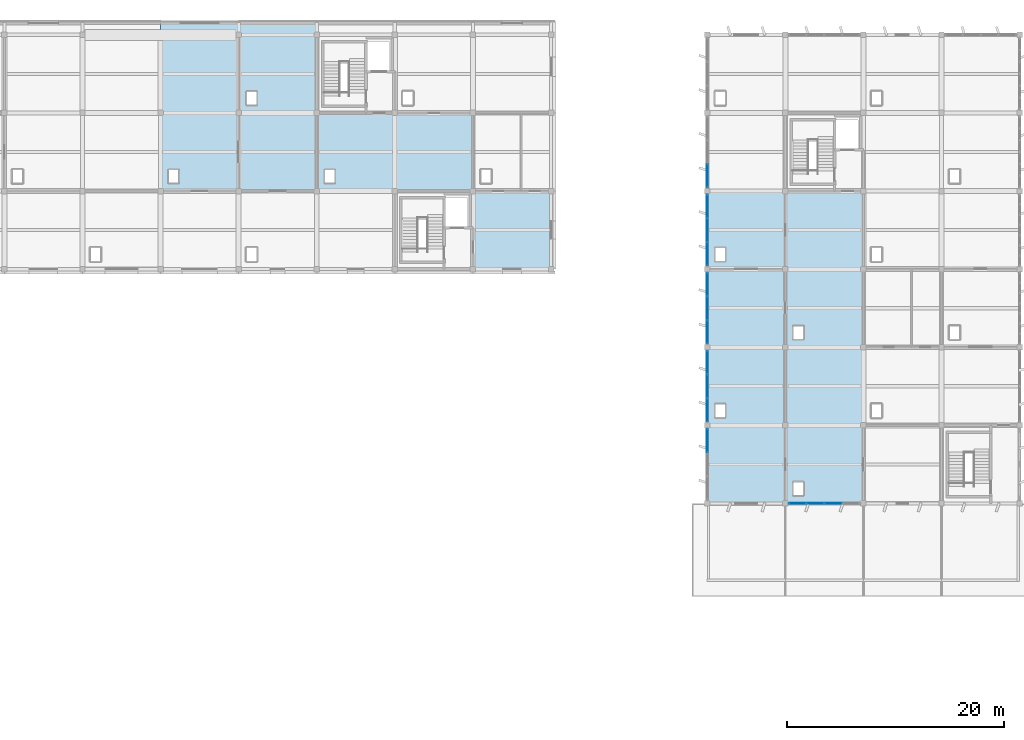
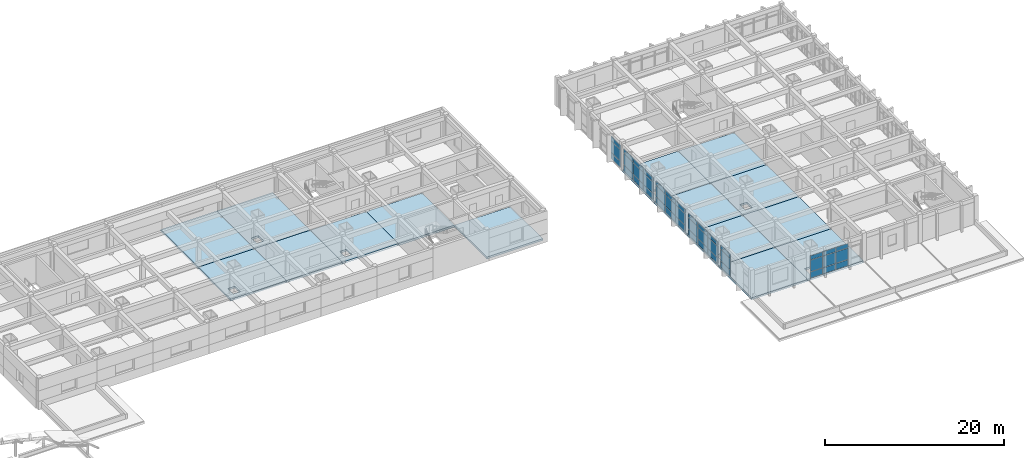
# One storey, part 25 of 40: 42 plates, 15 slabs, 6 elements without a shape of their own.
"""IFC4 building model written with IfcOpenShell, lengths in metres."""

import ifcopenshell
import ifcopenshell.guid

model = None  # the IFC model being written
_history = None  # IfcOwnerHistory: only IFC2X3 demands one
_inside = {}  # id of a spatial element -> (the spatial element, [elements in it])
_under = {}  # id of a project, library or spatial element -> (it, [spatial elements below it])
_declared = {}  # id of a project -> (the project, [libraries it declares])
_typed = {}  # id of a type object -> (the type object, [elements of that type])
_made_of = {}  # id of a material, layer set ... -> (it, [elements and type objects made of it])


def new_model(schema):
    """Start an empty IFC model of exactly this schema.

    Asked for "IFC4X3", IfcOpenShell would pick the latest addendum, in which some entities
    have other attributes; the version numbers below select the first issue.
    IFC2X3 requires an IfcOwnerHistory on every rooted entity: one is made here for all.
    """
    global model, _history
    if schema == "IFC4X3":
        model = ifcopenshell.file(schema_version=(4, 3, 0, 0))
    else:
        model = ifcopenshell.file(schema=schema)
    _inside.clear()
    _under.clear()
    _declared.clear()
    _typed.clear()
    _made_of.clear()
    _history = None
    if model.schema == "IFC2X3":
        org = make("IfcOrganization", Name="unknown")
        user = make(
            "IfcPersonAndOrganization",
            ThePerson=make("IfcPerson", FamilyName="unknown"),
            TheOrganization=org,
        )
        app = make(
            "IfcApplication",
            ApplicationDeveloper=org,
            Version="unknown",
            ApplicationFullName="unknown",
            ApplicationIdentifier="unknown",
        )
        _history = make(
            "IfcOwnerHistory",
            OwningUser=user,
            OwningApplication=app,
            ChangeAction="ADDED",
            CreationDate=0,
        )
    return model


def make(cls, **values):
    """One entity of the class cls with the attributes given. An attribute that is None is left unset."""
    return model.create_entity(
        cls, **{name: value for name, value in values.items() if value is not None}
    )


def rooted(cls, **values):
    """An entity with a GlobalId (a new one), such as an element, a storey or a relation."""
    return make(cls, GlobalId=ifcopenshell.guid.new(), OwnerHistory=_history, **values)


def si_unit(unit_type, name, prefix=None):
    """IfcSIUnit, for example si_unit("LENGTHUNIT", "METRE", prefix="MILLI")."""
    return make("IfcSIUnit", UnitType=unit_type, Prefix=prefix, Name=name)


def assignment(units):
    """IfcUnitAssignment: the units of a project."""
    return None if units is None else make("IfcUnitAssignment", Units=units)


def point(xyz):
    """IfcCartesianPoint."""
    return None if xyz is None else make("IfcCartesianPoint", Coordinates=xyz)


def direction(xyz):
    """IfcDirection."""
    return None if xyz is None else make("IfcDirection", DirectionRatios=xyz)


def frame(location, z_axis=None, x_axis=None):
    """IfcAxis2Placement3D, a coordinate frame: its origin and axes. An axis left out is left unset."""
    return make(
        "IfcAxis2Placement3D",
        Location=point(location),
        Axis=direction(z_axis),
        RefDirection=direction(x_axis),
    )


def frame_2d(location, x_axis=None):
    """IfcAxis2Placement2D, a coordinate frame in the plane: its origin and x axis."""
    return make(
        "IfcAxis2Placement2D", Location=point(location), RefDirection=direction(x_axis)
    )


def origin():
    """The frame at (0, 0, 0) with its axes left unset."""
    return frame((0.0, 0.0, 0.0))


def origin_2d():
    """The frame at (0, 0) in the plane with its x axis left unset."""
    return frame_2d((0.0, 0.0))


def place(relative_to, where):
    """IfcLocalPlacement: puts the frame where relative to a parent placement (None: the world)."""
    return make(
        "IfcLocalPlacement", PlacementRelTo=relative_to, RelativePlacement=where
    )


def context(
    kind, dimensions, precision=None, world=None, true_north=None, identifier=None
):
    """IfcGeometricRepresentationContext, for example the 3D "Model" context."""
    return make(
        "IfcGeometricRepresentationContext",
        ContextIdentifier=identifier,
        ContextType=kind,
        CoordinateSpaceDimension=dimensions,
        Precision=precision,
        WorldCoordinateSystem=world,
        TrueNorth=true_north,
    )


def subcontext(parent, identifier, kind, view, scale=None):
    """IfcGeometricRepresentationSubContext, for example "Body" below "Model"."""
    return make(
        "IfcGeometricRepresentationSubContext",
        ContextIdentifier=identifier,
        ContextType=kind,
        ParentContext=parent,
        TargetScale=scale,
        TargetView=view,
    )


def project(units=None, contexts=None):
    """IfcProject with its units and contexts."""
    return rooted(
        "IfcProject",
        Name="project",
        RepresentationContexts=contexts,
        UnitsInContext=assignment(units),
    )


def spatial(cls, under=None, at=None, **own):
    """A site, building, storey or space (cls), placed at a placement, below another one or the project."""
    s = rooted(cls, ObjectPlacement=at, **own)
    if under is not None:
        _under.setdefault(under.id(), (under, []))[1].append(s)
    return s


def polyline(points):
    """IfcPolyline through the points."""
    return make("IfcPolyline", Points=[point(p) for p in points])


def profile(cls, at=None, kind="AREA", **sizes):
    """A parametric profile (cls). Its sizes go by their IFC names, for example OverallWidth=200.0."""
    return make(cls, ProfileType=kind, Position=at, **sizes)


def rectangle(**sizes):
    """IfcRectangleProfileDef."""
    return profile("IfcRectangleProfileDef", **sizes)


def outline(outer, holes=None, kind="AREA"):
    """IfcArbitraryClosedProfileDef: a profile drawn as a closed curve; with holes, ...WithVoids."""
    if holes is None:
        return make("IfcArbitraryClosedProfileDef", ProfileType=kind, OuterCurve=outer)
    return make(
        "IfcArbitraryProfileDefWithVoids",
        ProfileType=kind,
        OuterCurve=outer,
        InnerCurves=holes,
    )


def extrude(swept, where, along, depth):
    """IfcExtrudedAreaSolid: the profile swept, set in the frame where, extruded along a direction by depth."""
    return make(
        "IfcExtrudedAreaSolid",
        SweptArea=swept,
        Position=where,
        ExtrudedDirection=direction(along),
        Depth=depth,
    )


def shape(context_of_items, identifier, shape_type, items):
    """IfcShapeRepresentation: the items that make up one representation, for example the "Body"."""
    return make(
        "IfcShapeRepresentation",
        ContextOfItems=context_of_items,
        RepresentationIdentifier=identifier,
        RepresentationType=shape_type,
        Items=items,
    )


def material(Name=None, Category=None):
    """IfcMaterial."""
    return make("IfcMaterial", Name=Name, Category=Category)


def layer(
    of_material, thickness, ventilated=None, Name=None, Category=None, Priority=None
):
    """IfcMaterialLayer: one layer of a wall or slab, of a material (None: an air gap)."""
    return make(
        "IfcMaterialLayer",
        Material=of_material,
        LayerThickness=thickness,
        IsVentilated=ventilated,
        Name=Name,
        Category=Category,
        Priority=Priority,
    )


def layer_set(layers, Name=None):
    """IfcMaterialLayerSet."""
    return make("IfcMaterialLayerSet", MaterialLayers=layers, LayerSetName=Name)


def made_of(thing, what):
    """Note that an element or type object is made of a material, layer set ...; save() writes the relation."""
    if what is not None:
        _made_of.setdefault(what.id(), (what, []))[1].append(thing)
    return thing


def type_object(cls, material=None, **own):
    """A type object (cls), such as IfcWallType, which elements share."""
    return made_of(rooted(cls, **own), material)


def element(
    cls,
    number,
    at=None,
    inside=None,
    cuts=None,
    type_object=None,
    material=None,
    context=None,
    identifier="Body",
    shape_type=None,
    held_by="IfcProductDefinitionShape",
    body=None,
    shapes=None,
    **own,
):
    """One element of the class cls, such as IfcWall. Its Tag is "e" and its number.

    at: its placement. inside: the storey or other place that contains it. cuts: it is an
    opening in that element (IfcRelVoidsElement). A single representation is given by context,
    identifier, shape_type and body (its items); several are given by shapes. held_by: the class
    of the entity that holds the representations. save() writes the other relations.
    """
    e = rooted(cls, Tag="e%d" % number, ObjectPlacement=at, **own)
    if body is not None:
        shapes = [shape(context, identifier, shape_type, body)]
    if shapes is not None:
        e.Representation = make(held_by, Representations=shapes)
    if inside is not None:
        _inside.setdefault(inside.id(), (inside, []))[1].append(e)
    if cuts is not None:
        rooted(
            "IfcRelVoidsElement", RelatingBuildingElement=cuts, RelatedOpeningElement=e
        )
    if type_object is not None:
        _typed.setdefault(type_object.id(), (type_object, []))[1].append(e)
    return made_of(e, material)


def aggregate(whole, parts):
    """IfcRelAggregates: a whole, such as a stair, and the parts it consists of."""
    return rooted("IfcRelAggregates", RelatingObject=whole, RelatedObjects=parts)


def save(model, path):
    """Write the relations noted so far, then the file.

    IfcRelAggregates (storeys below a building ...), IfcRelContainedInSpatialStructure (elements
    in a storey), IfcRelDefinesByType, IfcRelAssociatesMaterial and IfcRelDeclares: one each for
    every whole, place, type object, material and project.
    """
    for whole, parts in _under.values():
        aggregate(whole, parts)
    for where, things in _inside.values():
        rooted(
            "IfcRelContainedInSpatialStructure",
            RelatedElements=things,
            RelatingStructure=where,
        )
    for kind, things in _typed.values():
        rooted("IfcRelDefinesByType", RelatedObjects=things, RelatingType=kind)
    for what, things in _made_of.values():
        rooted("IfcRelAssociatesMaterial", RelatedObjects=things, RelatingMaterial=what)
    for by, libraries in _declared.values():
        rooted("IfcRelDeclares", RelatingContext=by, RelatedDefinitions=libraries)
    model.write(path)


model = new_model("IFC4")

# Units and contexts
model_context = context("Model", 3, precision=1e-05, world=origin(), true_north=direction((0.0, 1.0)))
body_context = subcontext(model_context, "Body", "Model", "MODEL_VIEW")
ifc_project = project(units=[si_unit("LENGTHUNIT", "METRE"), si_unit("AREAUNIT", "SQUARE_METRE"), si_unit("VOLUMEUNIT", "CUBIC_METRE"), si_unit("PLANEANGLEUNIT", "RADIAN"), si_unit("MASSUNIT", "GRAM", prefix="KILO")], contexts=[model_context])

# Site, building, storey
site_placement = place(None, origin())
site = spatial("IfcSite", under=ifc_project, at=site_placement, CompositionType="ELEMENT")
building_placement = place(site_placement, origin())
building = spatial("IfcBuilding", under=site, at=building_placement, Name="Kavelor Marine Aquarium", CompositionType="ELEMENT")
storey_placement = place(building_placement, frame((0.0, 0.0, 17.639892578125)))
storey = spatial("IfcBuildingStorey", under=building, at=storey_placement, Name="L04", CompositionType="ELEMENT", Elevation=17.639892578125)

# Curtain wall, plates
ifc_material_1 = material(Name="Thermally Broken Aluminium and Low-E Glass", Category="aluminium")
ifc_layer_1 = layer(ifc_material_1, 0.260009765625)
ifc_layer_set_1 = layer_set([ifc_layer_1], Name="CW-SYS15")
curtain_wall_type_1 = type_object("IfcCurtainWallType", Name="CW-SYS15", PredefinedType="USERDEFINED", material=ifc_layer_set_1)
curtain_wall_1_placement = place(storey_placement, origin())
curtain_wall_1 = element("IfcCurtainWall", 1, at=curtain_wall_1_placement, inside=storey, type_object=curtain_wall_type_1, Name="cw:x:L04:17_09", ObjectType="Curtain Wall", PredefinedType="USERDEFINED")
ifc_material_2 = material(Name="Solar-Control Double Low-E Glazing", Category="glass")
ifc_layer_2 = layer(ifc_material_2, 0.053955078125)
ifc_layer_set_2 = layer_set([ifc_layer_2], Name="CWP-15")
plate_type_1 = type_object("IfcPlateType", Name="CWP-15", PredefinedType="CURTAIN_PANEL", material=ifc_layer_set_2)
plate_1_placement = place(storey_placement, frame((130.0263671875, 67.60009765625, 0.06494140625), z_axis=(0.0, 0.0, 1.0), x_axis=(-1.0, 0.0, 0.0)))
plate_1 = element("IfcPlate", 2, at=plate_1_placement, type_object=plate_type_1, Name="CW15 panel 2.1", PredefinedType="CURTAIN_PANEL", context=body_context, shape_type="SweptSolid", body=[
    extrude(rectangle(XDim=1.592529296875, YDim=0.053955078125, at=origin_2d()), origin(), (0.0, 0.0, 1.0), 0.802490234375),
])
plate_2_placement = place(storey_placement, frame((130.0263671875, 67.60009765625, 0.9326171875), z_axis=(0.0, 0.0, 1.0), x_axis=(-1.0, 0.0, 0.0)))
plate_2 = element("IfcPlate", 3, at=plate_2_placement, type_object=plate_type_1, Name="CW15 panel 2.2", PredefinedType="CURTAIN_PANEL", context=body_context, shape_type="SweptSolid", body=[
    extrude(rectangle(XDim=1.592529296875, YDim=0.053955078125, at=origin_2d()), origin(), (0.0, 0.0, 1.0), 1.52490234375),
])
plate_3_placement = place(storey_placement, frame((130.0263671875, 67.60009765625, 2.5224609375), z_axis=(0.0, 0.0, 1.0), x_axis=(-1.0, 0.0, 0.0)))
plate_3 = element("IfcPlate", 4, at=plate_3_placement, type_object=plate_type_1, Name="CW15 panel 2.3", PredefinedType="CURTAIN_PANEL", context=body_context, shape_type="SweptSolid", body=[
    extrude(rectangle(XDim=1.592529296875, YDim=0.053955078125, at=origin_2d()), origin(), (0.0, 0.0, 1.0), 0.552490234375),
])
plate_4_placement = place(storey_placement, frame((128.373779296875, 67.60009765625, 0.06494140625), z_axis=(0.0, 0.0, 1.0), x_axis=(-1.0, 0.0, 0.0)))
plate_4 = element("IfcPlate", 5, at=plate_4_placement, type_object=plate_type_1, Name="CW15 panel 3.1", PredefinedType="CURTAIN_PANEL", context=body_context, shape_type="SweptSolid", body=[
    extrude(rectangle(XDim=1.592529296875, YDim=0.053955078125, at=origin_2d()), origin(), (0.0, 0.0, 1.0), 0.802490234375),
])
plate_5_placement = place(storey_placement, frame((128.373779296875, 67.60009765625, 0.9326171875), z_axis=(0.0, 0.0, 1.0), x_axis=(-1.0, 0.0, 0.0)))
plate_5 = element("IfcPlate", 6, at=plate_5_placement, type_object=plate_type_1, Name="CW15 panel 3.2", PredefinedType="CURTAIN_PANEL", context=body_context, shape_type="SweptSolid", body=[
    extrude(rectangle(XDim=1.592529296875, YDim=0.053955078125, at=origin_2d()), origin(), (0.0, 0.0, 1.0), 1.52490234375),
])
plate_6_placement = place(storey_placement, frame((128.373779296875, 67.60009765625, 2.5224609375), z_axis=(0.0, 0.0, 1.0), x_axis=(-1.0, 0.0, 0.0)))
plate_6 = element("IfcPlate", 7, at=plate_6_placement, type_object=plate_type_1, Name="CW15 panel 3.3", PredefinedType="CURTAIN_PANEL", context=body_context, shape_type="SweptSolid", body=[
    extrude(rectangle(XDim=1.592529296875, YDim=0.053955078125, at=origin_2d()), origin(), (0.0, 0.0, 1.0), 0.552490234375),
])
plate_7_placement = place(storey_placement, frame((126.736328125, 67.60009765625, 0.06494140625), z_axis=(0.0, 0.0, 1.0), x_axis=(-1.0, 0.0, 0.0)))
plate_7 = element("IfcPlate", 8, at=plate_7_placement, type_object=plate_type_1, Name="CW15 panel 4.1", PredefinedType="CURTAIN_PANEL", context=body_context, shape_type="SweptSolid", body=[
    extrude(rectangle(XDim=1.5625, YDim=0.053955078125, at=origin_2d()), origin(), (0.0, 0.0, 1.0), 0.802490234375),
])
plate_8_placement = place(storey_placement, frame((126.736328125, 67.60009765625, 0.9326171875), z_axis=(0.0, 0.0, 1.0), x_axis=(-1.0, 0.0, 0.0)))
plate_8 = element("IfcPlate", 9, at=plate_8_placement, type_object=plate_type_1, Name="CW15 panel 4.2", PredefinedType="CURTAIN_PANEL", context=body_context, shape_type="SweptSolid", body=[
    extrude(rectangle(XDim=1.5625, YDim=0.053955078125, at=origin_2d()), origin(), (0.0, 0.0, 1.0), 1.52490234375),
])
plate_9_placement = place(storey_placement, frame((126.736328125, 67.60009765625, 2.5224609375), z_axis=(0.0, 0.0, 1.0), x_axis=(-1.0, 0.0, 0.0)))
plate_9 = element("IfcPlate", 10, at=plate_9_placement, type_object=plate_type_1, Name="CW15 panel 4.3", PredefinedType="CURTAIN_PANEL", context=body_context, shape_type="SweptSolid", body=[
    extrude(rectangle(XDim=1.5625, YDim=0.053955078125, at=origin_2d()), origin(), (0.0, 0.0, 1.0), 0.552490234375),
])
aggregate(curtain_wall_1, [plate_1, plate_2, plate_3, plate_4, plate_5, plate_6, plate_7, plate_8, plate_9])

ifc_material_3 = material(Name="Thermally Broken Aluminium and Low-E Glass", Category="aluminium")
ifc_layer_3 = layer(ifc_material_3, 0.283935546875)
ifc_layer_set_3 = layer_set([ifc_layer_3], Name="CW-SYS18")
curtain_wall_type_2 = type_object("IfcCurtainWallType", Name="CW-SYS18", PredefinedType="USERDEFINED", material=ifc_layer_set_3)
curtain_wall_2_placement = place(storey_placement, origin())
curtain_wall_2 = element("IfcCurtainWall", 11, at=curtain_wall_2_placement, inside=storey, type_object=curtain_wall_type_2, Name="cw:y:L04:16_09", ObjectType="Curtain Wall", PredefinedType="USERDEFINED")
ifc_material_4 = material(Name="Solar-Control Double Low-E Glazing", Category="glass")
ifc_layer_4 = layer(ifc_material_4, 0.06005859375)
ifc_layer_set_4 = layer_set([ifc_layer_4], Name="CWP-18")
plate_type_2 = type_object("IfcPlateType", Name="CWP-18", PredefinedType="CURTAIN_PANEL", material=ifc_layer_set_4)
plate_10_placement = place(storey_placement, frame((118.39990234375, 73.388427734375, 0.074951171875), z_axis=(0.0, 0.0, 1.0), x_axis=(0.0, -1.0, 0.0)))
plate_10 = element("IfcPlate", 12, at=plate_10_placement, type_object=plate_type_2, Name="CW18 panel 1.1", PredefinedType="CURTAIN_PANEL", context=body_context, shape_type="SweptSolid", body=[
    extrude(rectangle(XDim=2.11328125, YDim=0.06005859375, at=origin_2d()), origin(), (0.0, 0.0, 1.0), 0.78759765625),
])
plate_11_placement = place(storey_placement, frame((118.39990234375, 73.388427734375, 0.9375), z_axis=(0.0, 0.0, 1.0), x_axis=(0.0, -1.0, 0.0)))
plate_11 = element("IfcPlate", 13, at=plate_11_placement, type_object=plate_type_2, Name="CW18 panel 1.2", PredefinedType="CURTAIN_PANEL", context=body_context, shape_type="SweptSolid", body=[
    extrude(rectangle(XDim=2.11328125, YDim=0.06005859375, at=origin_2d()), origin(), (0.0, 0.0, 1.0), 1.4951171875),
])
plate_12_placement = place(storey_placement, frame((118.39990234375, 73.388427734375, 2.507568359375), z_axis=(0.0, 0.0, 1.0), x_axis=(0.0, -1.0, 0.0)))
plate_12 = element("IfcPlate", 14, at=plate_12_placement, type_object=plate_type_2, Name="CW18 panel 1.3", PredefinedType="CURTAIN_PANEL", context=body_context, shape_type="SweptSolid", body=[
    extrude(rectangle(XDim=2.11328125, YDim=0.06005859375, at=origin_2d()), origin(), (0.0, 0.0, 1.0), 0.53759765625),
])
aggregate(curtain_wall_2, [plate_10, plate_11, plate_12])

ifc_material_5 = material(Name="Thermally Broken Aluminium and Low-E Glass", Category="aluminium")
ifc_layer_5 = layer(ifc_material_5, 0.2919921875)
ifc_layer_set_5 = layer_set([ifc_layer_5], Name="CW-SYS19")
curtain_wall_type_3 = type_object("IfcCurtainWallType", Name="CW-SYS19", PredefinedType="USERDEFINED", material=ifc_layer_set_5)
curtain_wall_3_placement = place(storey_placement, origin())
curtain_wall_3 = element("IfcCurtainWall", 15, at=curtain_wall_3_placement, inside=storey, type_object=curtain_wall_type_3, Name="cw:y:L04:16_10", ObjectType="Curtain Wall", PredefinedType="USERDEFINED")
ifc_material_6 = material(Name="Solar-Control Double Low-E Glazing", Category="glass")
ifc_layer_6 = layer(ifc_material_6, 0.06201171875)
ifc_layer_set_6 = layer_set([ifc_layer_6], Name="CWP-19")
plate_type_3 = type_object("IfcPlateType", Name="CWP-19", PredefinedType="CURTAIN_PANEL", material=ifc_layer_set_6)
plate_13_placement = place(storey_placement, frame((118.39990234375, 80.58447265625, 0.074951171875), z_axis=(0.0, 0.0, 1.0), x_axis=(0.0, -1.0, 0.0)))
plate_13 = element("IfcPlate", 16, at=plate_13_placement, type_object=plate_type_3, Name="CW19 panel 1.1", PredefinedType="CURTAIN_PANEL", context=body_context, shape_type="SweptSolid", body=[
    extrude(rectangle(XDim=2.0908203125, YDim=0.06201171875, at=origin_2d()), origin(), (0.0, 0.0, 1.0), 0.78759765625),
])
plate_14_placement = place(storey_placement, frame((118.39990234375, 80.58447265625, 0.9375), z_axis=(0.0, 0.0, 1.0), x_axis=(0.0, -1.0, 0.0)))
plate_14 = element("IfcPlate", 17, at=plate_14_placement, type_object=plate_type_3, Name="CW19 panel 1.2", PredefinedType="CURTAIN_PANEL", context=body_context, shape_type="SweptSolid", body=[
    extrude(rectangle(XDim=2.0908203125, YDim=0.06201171875, at=origin_2d()), origin(), (0.0, 0.0, 1.0), 1.4951171875),
])
plate_15_placement = place(storey_placement, frame((118.39990234375, 80.58447265625, 2.507568359375), z_axis=(0.0, 0.0, 1.0), x_axis=(0.0, -1.0, 0.0)))
plate_15 = element("IfcPlate", 18, at=plate_15_placement, type_object=plate_type_3, Name="CW19 panel 1.3", PredefinedType="CURTAIN_PANEL", context=body_context, shape_type="SweptSolid", body=[
    extrude(rectangle(XDim=2.0908203125, YDim=0.06201171875, at=origin_2d()), origin(), (0.0, 0.0, 1.0), 0.53759765625),
])
plate_16_placement = place(storey_placement, frame((118.39990234375, 78.39990234375, 0.074951171875), z_axis=(0.0, 0.0, 1.0), x_axis=(0.0, -1.0, 0.0)))
plate_16 = element("IfcPlate", 19, at=plate_16_placement, type_object=plate_type_3, Name="CW19 panel 2.1", PredefinedType="CURTAIN_PANEL", context=body_context, shape_type="SweptSolid", body=[
    extrude(rectangle(XDim=2.12841796875, YDim=0.06201171875, at=origin_2d()), origin(), (0.0, 0.0, 1.0), 0.78759765625),
])
plate_17_placement = place(storey_placement, frame((118.39990234375, 78.39990234375, 0.9375), z_axis=(0.0, 0.0, 1.0), x_axis=(0.0, -1.0, 0.0)))
plate_17 = element("IfcPlate", 20, at=plate_17_placement, type_object=plate_type_3, Name="CW19 panel 2.2", PredefinedType="CURTAIN_PANEL", context=body_context, shape_type="SweptSolid", body=[
    extrude(rectangle(XDim=2.12841796875, YDim=0.06201171875, at=origin_2d()), origin(), (0.0, 0.0, 1.0), 1.4951171875),
])
plate_18_placement = place(storey_placement, frame((118.39990234375, 78.39990234375, 2.507568359375), z_axis=(0.0, 0.0, 1.0), x_axis=(0.0, -1.0, 0.0)))
plate_18 = element("IfcPlate", 21, at=plate_18_placement, type_object=plate_type_3, Name="CW19 panel 2.3", PredefinedType="CURTAIN_PANEL", context=body_context, shape_type="SweptSolid", body=[
    extrude(rectangle(XDim=2.12841796875, YDim=0.06201171875, at=origin_2d()), origin(), (0.0, 0.0, 1.0), 0.53759765625),
])
plate_19_placement = place(storey_placement, frame((118.39990234375, 76.21533203125, 0.074951171875), z_axis=(0.0, 0.0, 1.0), x_axis=(0.0, -1.0, 0.0)))
plate_19 = element("IfcPlate", 22, at=plate_19_placement, type_object=plate_type_3, Name="CW19 panel 3.1", PredefinedType="CURTAIN_PANEL", context=body_context, shape_type="SweptSolid", body=[
    extrude(rectangle(XDim=2.0908203125, YDim=0.06201171875, at=origin_2d()), origin(), (0.0, 0.0, 1.0), 0.78759765625),
])
plate_20_placement = place(storey_placement, frame((118.39990234375, 76.21533203125, 0.9375), z_axis=(0.0, 0.0, 1.0), x_axis=(0.0, -1.0, 0.0)))
plate_20 = element("IfcPlate", 23, at=plate_20_placement, type_object=plate_type_3, Name="CW19 panel 3.2", PredefinedType="CURTAIN_PANEL", context=body_context, shape_type="SweptSolid", body=[
    extrude(rectangle(XDim=2.0908203125, YDim=0.06201171875, at=origin_2d()), origin(), (0.0, 0.0, 1.0), 1.4951171875),
])
plate_21_placement = place(storey_placement, frame((118.39990234375, 76.21533203125, 2.507568359375), z_axis=(0.0, 0.0, 1.0), x_axis=(0.0, -1.0, 0.0)))
plate_21 = element("IfcPlate", 24, at=plate_21_placement, type_object=plate_type_3, Name="CW19 panel 3.3", PredefinedType="CURTAIN_PANEL", context=body_context, shape_type="SweptSolid", body=[
    extrude(rectangle(XDim=2.0908203125, YDim=0.06201171875, at=origin_2d()), origin(), (0.0, 0.0, 1.0), 0.53759765625),
])
aggregate(curtain_wall_3, [plate_13, plate_14, plate_15, plate_16, plate_17, plate_18, plate_19, plate_20, plate_21])

ifc_material_7 = material(Name="Thermally Broken Aluminium and Low-E Glass", Category="aluminium")
ifc_layer_7 = layer(ifc_material_7, 0.300048828125)
ifc_layer_set_7 = layer_set([ifc_layer_7], Name="CW-SYS20")
curtain_wall_type_4 = type_object("IfcCurtainWallType", Name="CW-SYS20", PredefinedType="USERDEFINED", material=ifc_layer_set_7)
curtain_wall_4_placement = place(storey_placement, origin())
curtain_wall_4 = element("IfcCurtainWall", 25, at=curtain_wall_4_placement, inside=storey, type_object=curtain_wall_type_4, Name="cw:y:L04:16_11", ObjectType="Curtain Wall", PredefinedType="USERDEFINED")
ifc_material_8 = material(Name="Solar-Control Double Low-E Glazing", Category="glass")
ifc_layer_8 = layer(ifc_material_8, 0.06396484375)
ifc_layer_set_8 = layer_set([ifc_layer_8], Name="CWP-20")
plate_type_4 = type_object("IfcPlateType", Name="CWP-20", PredefinedType="CURTAIN_PANEL", material=ifc_layer_set_8)
plate_22_placement = place(storey_placement, frame((118.39990234375, 87.787109375, 0.06494140625), z_axis=(0.0, 0.0, 1.0), x_axis=(0.0, -1.0, 0.0)))
plate_22 = element("IfcPlate", 26, at=plate_22_placement, type_object=plate_type_4, Name="CW20 panel 1.1", PredefinedType="CURTAIN_PANEL", context=body_context, shape_type="SweptSolid", body=[
    extrude(rectangle(XDim=2.105712890625, YDim=0.06396484375, at=origin_2d()), origin(), (0.0, 0.0, 1.0), 0.802490234375),
])
plate_23_placement = place(storey_placement, frame((118.39990234375, 87.787109375, 0.9326171875), z_axis=(0.0, 0.0, 1.0), x_axis=(0.0, -1.0, 0.0)))
plate_23 = element("IfcPlate", 27, at=plate_23_placement, type_object=plate_type_4, Name="CW20 panel 1.2", PredefinedType="CURTAIN_PANEL", context=body_context, shape_type="SweptSolid", body=[
    extrude(rectangle(XDim=2.105712890625, YDim=0.06396484375, at=origin_2d()), origin(), (0.0, 0.0, 1.0), 1.5048828125),
])
plate_24_placement = place(storey_placement, frame((118.39990234375, 87.787109375, 2.50244140625), z_axis=(0.0, 0.0, 1.0), x_axis=(0.0, -1.0, 0.0)))
plate_24 = element("IfcPlate", 28, at=plate_24_placement, type_object=plate_type_4, Name="CW20 panel 1.3", PredefinedType="CURTAIN_PANEL", context=body_context, shape_type="SweptSolid", body=[
    extrude(rectangle(XDim=2.105712890625, YDim=0.06396484375, at=origin_2d()), origin(), (0.0, 0.0, 1.0), 0.552490234375),
])
plate_25_placement = place(storey_placement, frame((118.39990234375, 85.60009765625, 0.06494140625), z_axis=(0.0, 0.0, 1.0), x_axis=(0.0, -1.0, 0.0)))
plate_25 = element("IfcPlate", 29, at=plate_25_placement, type_object=plate_type_4, Name="CW20 panel 2.1", PredefinedType="CURTAIN_PANEL", context=body_context, shape_type="SweptSolid", body=[
    extrude(rectangle(XDim=2.138427734375, YDim=0.06396484375, at=origin_2d()), origin(), (0.0, 0.0, 1.0), 0.802490234375),
])
plate_26_placement = place(storey_placement, frame((118.39990234375, 85.60009765625, 0.9326171875), z_axis=(0.0, 0.0, 1.0), x_axis=(0.0, -1.0, 0.0)))
plate_26 = element("IfcPlate", 30, at=plate_26_placement, type_object=plate_type_4, Name="CW20 panel 2.2", PredefinedType="CURTAIN_PANEL", context=body_context, shape_type="SweptSolid", body=[
    extrude(rectangle(XDim=2.138427734375, YDim=0.06396484375, at=origin_2d()), origin(), (0.0, 0.0, 1.0), 1.5048828125),
])
plate_27_placement = place(storey_placement, frame((118.39990234375, 85.60009765625, 2.50244140625), z_axis=(0.0, 0.0, 1.0), x_axis=(0.0, -1.0, 0.0)))
plate_27 = element("IfcPlate", 31, at=plate_27_placement, type_object=plate_type_4, Name="CW20 panel 2.3", PredefinedType="CURTAIN_PANEL", context=body_context, shape_type="SweptSolid", body=[
    extrude(rectangle(XDim=2.138427734375, YDim=0.06396484375, at=origin_2d()), origin(), (0.0, 0.0, 1.0), 0.552490234375),
])
plate_28_placement = place(storey_placement, frame((118.39990234375, 83.412841796875, 0.06494140625), z_axis=(0.0, 0.0, 1.0), x_axis=(0.0, -1.0, 0.0)))
plate_28 = element("IfcPlate", 32, at=plate_28_placement, type_object=plate_type_4, Name="CW20 panel 3.1", PredefinedType="CURTAIN_PANEL", context=body_context, shape_type="SweptSolid", body=[
    extrude(rectangle(XDim=2.105712890625, YDim=0.06396484375, at=origin_2d()), origin(), (0.0, 0.0, 1.0), 0.802490234375),
])
plate_29_placement = place(storey_placement, frame((118.39990234375, 83.412841796875, 0.9326171875), z_axis=(0.0, 0.0, 1.0), x_axis=(0.0, -1.0, 0.0)))
plate_29 = element("IfcPlate", 33, at=plate_29_placement, type_object=plate_type_4, Name="CW20 panel 3.2", PredefinedType="CURTAIN_PANEL", context=body_context, shape_type="SweptSolid", body=[
    extrude(rectangle(XDim=2.105712890625, YDim=0.06396484375, at=origin_2d()), origin(), (0.0, 0.0, 1.0), 1.5048828125),
])
plate_30_placement = place(storey_placement, frame((118.39990234375, 83.412841796875, 2.50244140625), z_axis=(0.0, 0.0, 1.0), x_axis=(0.0, -1.0, 0.0)))
plate_30 = element("IfcPlate", 34, at=plate_30_placement, type_object=plate_type_4, Name="CW20 panel 3.3", PredefinedType="CURTAIN_PANEL", context=body_context, shape_type="SweptSolid", body=[
    extrude(rectangle(XDim=2.105712890625, YDim=0.06396484375, at=origin_2d()), origin(), (0.0, 0.0, 1.0), 0.552490234375),
])
aggregate(curtain_wall_4, [plate_22, plate_23, plate_24, plate_25, plate_26, plate_27, plate_28, plate_29, plate_30])

ifc_material_9 = material(Name="Thermally Broken Aluminium and Low-E Glass", Category="aluminium")
ifc_layer_9 = layer(ifc_material_9, 0.30810546875)
ifc_layer_set_9 = layer_set([ifc_layer_9], Name="CW-SYS21")
curtain_wall_type_5 = type_object("IfcCurtainWallType", Name="CW-SYS21", PredefinedType="USERDEFINED", material=ifc_layer_set_9)
curtain_wall_5_placement = place(storey_placement, origin())
curtain_wall_5 = element("IfcCurtainWall", 35, at=curtain_wall_5_placement, inside=storey, type_object=curtain_wall_type_5, Name="cw:y:L04:16_12", ObjectType="Curtain Wall", PredefinedType="USERDEFINED")
ifc_material_10 = material(Name="Solar-Control Double Low-E Glazing", Category="glass")
ifc_layer_10 = layer(ifc_material_10, 0.06591796875)
ifc_layer_set_10 = layer_set([ifc_layer_10], Name="CWP-21")
plate_type_5 = type_object("IfcPlateType", Name="CWP-21", PredefinedType="CURTAIN_PANEL", material=ifc_layer_set_10)
plate_31_placement = place(storey_placement, frame((118.39990234375, 94.98828125, 0.06494140625), z_axis=(0.0, 0.0, 1.0), x_axis=(0.0, -1.0, 0.0)))
plate_31 = element("IfcPlate", 36, at=plate_31_placement, type_object=plate_type_5, Name="CW21 panel 1.1", PredefinedType="CURTAIN_PANEL", context=body_context, shape_type="SweptSolid", body=[
    extrude(rectangle(XDim=2.11328125, YDim=0.06591796875, at=origin_2d()), origin(), (0.0, 0.0, 1.0), 0.802490234375),
])
plate_32_placement = place(storey_placement, frame((118.39990234375, 94.98828125, 0.9326171875), z_axis=(0.0, 0.0, 1.0), x_axis=(0.0, -1.0, 0.0)))
plate_32 = element("IfcPlate", 37, at=plate_32_placement, type_object=plate_type_5, Name="CW21 panel 1.2", PredefinedType="CURTAIN_PANEL", context=body_context, shape_type="SweptSolid", body=[
    extrude(rectangle(XDim=2.11328125, YDim=0.06591796875, at=origin_2d()), origin(), (0.0, 0.0, 1.0), 1.5048828125),
])
plate_33_placement = place(storey_placement, frame((118.39990234375, 94.98828125, 2.50244140625), z_axis=(0.0, 0.0, 1.0), x_axis=(0.0, -1.0, 0.0)))
plate_33 = element("IfcPlate", 38, at=plate_33_placement, type_object=plate_type_5, Name="CW21 panel 1.3", PredefinedType="CURTAIN_PANEL", context=body_context, shape_type="SweptSolid", body=[
    extrude(rectangle(XDim=2.11328125, YDim=0.06591796875, at=origin_2d()), origin(), (0.0, 0.0, 1.0), 0.552490234375),
])
plate_34_placement = place(storey_placement, frame((118.39990234375, 92.800048828125, 0.06494140625), z_axis=(0.0, 0.0, 1.0), x_axis=(0.0, -1.0, 0.0)))
plate_34 = element("IfcPlate", 39, at=plate_34_placement, type_object=plate_type_5, Name="CW21 panel 2.1", PredefinedType="CURTAIN_PANEL", context=body_context, shape_type="SweptSolid", body=[
    extrude(rectangle(XDim=2.143310546875, YDim=0.06591796875, at=origin_2d()), origin(), (0.0, 0.0, 1.0), 0.802490234375),
])
plate_35_placement = place(storey_placement, frame((118.39990234375, 92.800048828125, 0.9326171875), z_axis=(0.0, 0.0, 1.0), x_axis=(0.0, -1.0, 0.0)))
plate_35 = element("IfcPlate", 40, at=plate_35_placement, type_object=plate_type_5, Name="CW21 panel 2.2", PredefinedType="CURTAIN_PANEL", context=body_context, shape_type="SweptSolid", body=[
    extrude(rectangle(XDim=2.143310546875, YDim=0.06591796875, at=origin_2d()), origin(), (0.0, 0.0, 1.0), 1.5048828125),
])
plate_36_placement = place(storey_placement, frame((118.39990234375, 92.800048828125, 2.50244140625), z_axis=(0.0, 0.0, 1.0), x_axis=(0.0, -1.0, 0.0)))
plate_36 = element("IfcPlate", 41, at=plate_36_placement, type_object=plate_type_5, Name="CW21 panel 2.3", PredefinedType="CURTAIN_PANEL", context=body_context, shape_type="SweptSolid", body=[
    extrude(rectangle(XDim=2.143310546875, YDim=0.06591796875, at=origin_2d()), origin(), (0.0, 0.0, 1.0), 0.552490234375),
])
plate_37_placement = place(storey_placement, frame((118.39990234375, 90.611572265625, 0.06494140625), z_axis=(0.0, 0.0, 1.0), x_axis=(0.0, -1.0, 0.0)))
plate_37 = element("IfcPlate", 42, at=plate_37_placement, type_object=plate_type_5, Name="CW21 panel 3.1", PredefinedType="CURTAIN_PANEL", context=body_context, shape_type="SweptSolid", body=[
    extrude(rectangle(XDim=2.11328125, YDim=0.06591796875, at=origin_2d()), origin(), (0.0, 0.0, 1.0), 0.802490234375),
])
plate_38_placement = place(storey_placement, frame((118.39990234375, 90.611572265625, 0.9326171875), z_axis=(0.0, 0.0, 1.0), x_axis=(0.0, -1.0, 0.0)))
plate_38 = element("IfcPlate", 43, at=plate_38_placement, type_object=plate_type_5, Name="CW21 panel 3.2", PredefinedType="CURTAIN_PANEL", context=body_context, shape_type="SweptSolid", body=[
    extrude(rectangle(XDim=2.11328125, YDim=0.06591796875, at=origin_2d()), origin(), (0.0, 0.0, 1.0), 1.5048828125),
])
plate_39_placement = place(storey_placement, frame((118.39990234375, 90.611572265625, 2.50244140625), z_axis=(0.0, 0.0, 1.0), x_axis=(0.0, -1.0, 0.0)))
plate_39 = element("IfcPlate", 44, at=plate_39_placement, type_object=plate_type_5, Name="CW21 panel 3.3", PredefinedType="CURTAIN_PANEL", context=body_context, shape_type="SweptSolid", body=[
    extrude(rectangle(XDim=2.11328125, YDim=0.06591796875, at=origin_2d()), origin(), (0.0, 0.0, 1.0), 0.552490234375),
])
aggregate(curtain_wall_5, [plate_31, plate_32, plate_33, plate_34, plate_35, plate_36, plate_37, plate_38, plate_39])

ifc_material_11 = material(Name="Thermally Broken Aluminium and Low-E Glass", Category="aluminium")
ifc_layer_11 = layer(ifc_material_11, 0.31591796875)
ifc_layer_set_11 = layer_set([ifc_layer_11], Name="CW-SYS22")
curtain_wall_type_6 = type_object("IfcCurtainWallType", Name="CW-SYS22", PredefinedType="USERDEFINED", material=ifc_layer_set_11)
curtain_wall_6_placement = place(storey_placement, origin())
curtain_wall_6 = element("IfcCurtainWall", 45, at=curtain_wall_6_placement, inside=storey, type_object=curtain_wall_type_6, Name="cw:y:L04:16_13", ObjectType="Curtain Wall", PredefinedType="USERDEFINED")
ifc_material_12 = material(Name="Solar-Control Double Low-E Glazing", Category="glass")
ifc_layer_12 = layer(ifc_material_12, 0.068115234375)
ifc_layer_set_12 = layer_set([ifc_layer_12], Name="CWP-22")
plate_type_6 = type_object("IfcPlateType", Name="CWP-22", PredefinedType="CURTAIN_PANEL", material=ifc_layer_set_12)
plate_40_placement = place(storey_placement, frame((118.39990234375, 97.8154296875, 0.06005859375), z_axis=(0.0, 0.0, 1.0), x_axis=(0.0, -1.0, 0.0)))
plate_40 = element("IfcPlate", 46, at=plate_40_placement, type_object=plate_type_6, Name="CW22 panel 3.1", PredefinedType="CURTAIN_PANEL", context=body_context, shape_type="SweptSolid", body=[
    extrude(rectangle(XDim=2.0908203125, YDim=0.068115234375, at=origin_2d()), origin(), (0.0, 0.0, 1.0), 0.81005859375),
])
plate_41_placement = place(storey_placement, frame((118.39990234375, 97.8154296875, 0.93017578125), z_axis=(0.0, 0.0, 1.0), x_axis=(0.0, -1.0, 0.0)))
plate_41 = element("IfcPlate", 47, at=plate_41_placement, type_object=plate_type_6, Name="CW22 panel 3.2", PredefinedType="CURTAIN_PANEL", context=body_context, shape_type="SweptSolid", body=[
    extrude(rectangle(XDim=2.0908203125, YDim=0.068115234375, at=origin_2d()), origin(), (0.0, 0.0, 1.0), 1.510009765625),
])
plate_42_placement = place(storey_placement, frame((118.39990234375, 97.8154296875, 2.5), z_axis=(0.0, 0.0, 1.0), x_axis=(0.0, -1.0, 0.0)))
plate_42 = element("IfcPlate", 48, at=plate_42_placement, type_object=plate_type_6, Name="CW22 panel 3.3", PredefinedType="CURTAIN_PANEL", context=body_context, shape_type="SweptSolid", body=[
    extrude(rectangle(XDim=2.0908203125, YDim=0.068115234375, at=origin_2d()), origin(), (0.0, 0.0, 1.0), 0.56005859375),
])
aggregate(curtain_wall_6, [plate_40, plate_41, plate_42])

# Slabs
ifc_material_13 = material(Name="Concrete C40/50", Category="concrete")
ifc_layer_13 = layer(ifc_material_13, 0.280029296875)
ifc_layer_set_13 = layer_set([ifc_layer_13], Name="SL-FL2")
slab_type_1 = type_object("IfcSlabType", Name="SL-FL2", PredefinedType="FLOOR", material=ifc_layer_set_13)
slab_1_placement = place(storey_placement, frame((0.0, 0.0, -0.27978515625)))
element("IfcSlab", 49, at=slab_1_placement, inside=storey, type_object=slab_type_1, Name="slab:L04:10_13", PredefinedType="FLOOR", context=body_context, shape_type="SweptSolid", body=[
    extrude(outline(polyline([(75.199951171875, 96.39990234375), (82.39990234375, 96.39990234375), (82.39990234375, 103.60009765625), (75.199951171875, 103.60009765625), (75.199951171875, 96.39990234375)])), origin(), (0.0, 0.0, 1.0), 0.27978515625),
])
slab_2_placement = place(storey_placement, frame((0.0, 0.0, -0.27978515625)))
element("IfcSlab", 50, at=slab_2_placement, inside=storey, type_object=slab_type_1, Name="slab:L04:10_14", PredefinedType="FLOOR", context=body_context, shape_type="SweptSolid", body=[
    extrude(outline(polyline([(75.199951171875, 103.60009765625), (82.39990234375, 103.60009765625), (82.39990234375, 112.0400390625), (75.199951171875, 112.0400390625), (75.199951171875, 103.60009765625)]), holes=[polyline([(75.949951171875, 104.35009765625), (76.85009765625, 104.35009765625), (76.85009765625, 105.550048828125), (75.949951171875, 105.550048828125), (75.949951171875, 104.35009765625)])]), origin(), (0.0, 0.0, 1.0), 0.27978515625),
])
slab_3_placement = place(storey_placement, frame((0.0, 0.0, -0.27978515625)))
element("IfcSlab", 51, at=slab_3_placement, inside=storey, type_object=slab_type_1, Name="slab:L04:12_13", PredefinedType="FLOOR", context=body_context, shape_type="SweptSolid", body=[
    extrude(outline(polyline([(89.60009765625, 96.39990234375), (96.800048828125, 96.39990234375), (96.800048828125, 103.60009765625), (89.60009765625, 103.60009765625), (89.60009765625, 96.39990234375)])), origin(), (0.0, 0.0, 1.0), 0.27978515625),
])
slab_4_placement = place(storey_placement, frame((0.0, 0.0, -0.27978515625)))
element("IfcSlab", 52, at=slab_4_placement, inside=storey, type_object=slab_type_1, Name="slab:L04:16_09", PredefinedType="FLOOR", context=body_context, shape_type="SweptSolid", body=[
    extrude(outline(polyline([(118.39990234375, 67.60009765625), (125.60009765625, 67.60009765625), (125.60009765625, 74.800048828125), (118.39990234375, 74.800048828125), (118.39990234375, 67.60009765625)])), origin(), (0.0, 0.0, 1.0), 0.27978515625),
])
slab_5_placement = place(storey_placement, frame((0.0, 0.0, -0.27978515625)))
element("IfcSlab", 53, at=slab_5_placement, inside=storey, type_object=slab_type_1, Name="slab:L04:16_10", PredefinedType="FLOOR", context=body_context, shape_type="SweptSolid", body=[
    extrude(outline(polyline([(118.39990234375, 74.800048828125), (125.60009765625, 74.800048828125), (125.60009765625, 82.0), (118.39990234375, 82.0), (118.39990234375, 74.800048828125)]), holes=[polyline([(119.14990234375, 75.550048828125), (120.050048828125, 75.550048828125), (120.050048828125, 76.75), (119.14990234375, 76.75), (119.14990234375, 75.550048828125)])]), origin(), (0.0, 0.0, 1.0), 0.27978515625),
])
slab_6_placement = place(storey_placement, frame((0.0, 0.0, -0.27978515625)))
element("IfcSlab", 54, at=slab_6_placement, inside=storey, type_object=slab_type_1, Name="slab:L04:16_11", PredefinedType="FLOOR", context=body_context, shape_type="SweptSolid", body=[
    extrude(outline(polyline([(118.39990234375, 82.0), (125.60009765625, 82.0), (125.60009765625, 89.199951171875), (118.39990234375, 89.199951171875), (118.39990234375, 82.0)])), origin(), (0.0, 0.0, 1.0), 0.27978515625),
])
slab_7_placement = place(storey_placement, frame((0.0, 0.0, -0.27978515625)))
element("IfcSlab", 55, at=slab_7_placement, inside=storey, type_object=slab_type_1, Name="slab:L04:16_12", PredefinedType="FLOOR", context=body_context, shape_type="SweptSolid", body=[
    extrude(outline(polyline([(118.39990234375, 89.199951171875), (125.60009765625, 89.199951171875), (125.60009765625, 96.39990234375), (118.39990234375, 96.39990234375), (118.39990234375, 89.199951171875)]), holes=[polyline([(119.14990234375, 89.949951171875), (120.050048828125, 89.949951171875), (120.050048828125, 91.14990234375), (119.14990234375, 91.14990234375), (119.14990234375, 89.949951171875)])]), origin(), (0.0, 0.0, 1.0), 0.27978515625),
])
ifc_material_14 = material(Name="Concrete C40/50", Category="concrete")
ifc_layer_14 = layer(ifc_material_14, 0.260009765625)
ifc_layer_set_14 = layer_set([ifc_layer_14], Name="SL-FL3")
slab_type_2 = type_object("IfcSlabType", Name="SL-FL3", PredefinedType="FLOOR", material=ifc_layer_set_14)
slab_8_placement = place(storey_placement, frame((0.0, 0.0, -0.260009765625)))
element("IfcSlab", 56, at=slab_8_placement, inside=storey, type_object=slab_type_2, Name="slab:L04:09_13", PredefinedType="FLOOR", context=body_context, shape_type="SweptSolid", body=[
    extrude(outline(polyline([(68.0, 96.39990234375), (75.199951171875, 96.39990234375), (75.199951171875, 103.60009765625), (68.0, 103.60009765625), (68.0, 96.39990234375)]), holes=[polyline([(68.75, 97.14990234375), (69.64990234375, 97.14990234375), (69.64990234375, 98.35009765625), (68.75, 98.35009765625), (68.75, 97.14990234375)])]), origin(), (0.0, 0.0, 1.0), 0.260009765625),
])
slab_9_placement = place(storey_placement, frame((0.0, 0.0, -0.260009765625)))
element("IfcSlab", 57, at=slab_9_placement, inside=storey, type_object=slab_type_2, Name="slab:L04:09_14", PredefinedType="FLOOR", context=body_context, shape_type="SweptSolid", body=[
    extrude(outline(polyline([(68.0, 103.60009765625), (75.199951171875, 103.60009765625), (75.199951171875, 112.0400390625), (68.0, 112.0400390625), (68.0, 103.60009765625)])), origin(), (0.0, 0.0, 1.0), 0.260009765625),
])
slab_10_placement = place(storey_placement, frame((0.0, 0.0, -0.260009765625)))
element("IfcSlab", 58, at=slab_10_placement, inside=storey, type_object=slab_type_2, Name="slab:L04:11_13", PredefinedType="FLOOR", context=body_context, shape_type="SweptSolid", body=[
    extrude(outline(polyline([(82.39990234375, 96.39990234375), (89.60009765625, 96.39990234375), (89.60009765625, 103.60009765625), (82.39990234375, 103.60009765625), (82.39990234375, 96.39990234375)]), holes=[polyline([(83.14990234375, 97.14990234375), (84.050048828125, 97.14990234375), (84.050048828125, 98.35009765625), (83.14990234375, 98.35009765625), (83.14990234375, 97.14990234375)])]), origin(), (0.0, 0.0, 1.0), 0.260009765625),
])
slab_11_placement = place(storey_placement, frame((0.0, 0.0, -0.260009765625)))
element("IfcSlab", 59, at=slab_11_placement, inside=storey, type_object=slab_type_2, Name="slab:L04:13_12", PredefinedType="FLOOR", context=body_context, shape_type="SweptSolid", body=[
    extrude(outline(polyline([(96.800048828125, 89.199951171875), (104.0, 89.199951171875), (104.0, 96.39990234375), (96.800048828125, 96.39990234375), (96.800048828125, 89.199951171875)])), origin(), (0.0, 0.0, 1.0), 0.260009765625),
])
slab_12_placement = place(storey_placement, frame((0.0, 0.0, -0.260009765625)))
element("IfcSlab", 60, at=slab_12_placement, inside=storey, type_object=slab_type_2, Name="slab:L04:17_09", PredefinedType="FLOOR", context=body_context, shape_type="SweptSolid", body=[
    extrude(outline(polyline([(125.60009765625, 67.60009765625), (132.800048828125, 67.60009765625), (132.800048828125, 74.800048828125), (125.60009765625, 74.800048828125), (125.60009765625, 67.60009765625)]), holes=[polyline([(126.35009765625, 68.35009765625), (127.25, 68.35009765625), (127.25, 69.550048828125), (126.35009765625, 69.550048828125), (126.35009765625, 68.35009765625)])]), origin(), (0.0, 0.0, 1.0), 0.260009765625),
])
slab_13_placement = place(storey_placement, frame((0.0, 0.0, -0.260009765625)))
element("IfcSlab", 61, at=slab_13_placement, inside=storey, type_object=slab_type_2, Name="slab:L04:17_10", PredefinedType="FLOOR", context=body_context, shape_type="SweptSolid", body=[
    extrude(outline(polyline([(125.60009765625, 74.800048828125), (132.800048828125, 74.800048828125), (132.800048828125, 82.0), (125.60009765625, 82.0), (125.60009765625, 74.800048828125)])), origin(), (0.0, 0.0, 1.0), 0.260009765625),
])
slab_14_placement = place(storey_placement, frame((0.0, 0.0, -0.260009765625)))
element("IfcSlab", 62, at=slab_14_placement, inside=storey, type_object=slab_type_2, Name="slab:L04:17_11", PredefinedType="FLOOR", context=body_context, shape_type="SweptSolid", body=[
    extrude(outline(polyline([(125.60009765625, 82.0), (132.800048828125, 82.0), (132.800048828125, 89.199951171875), (125.60009765625, 89.199951171875), (125.60009765625, 82.0)]), holes=[polyline([(126.35009765625, 82.75), (127.25, 82.75), (127.25, 83.949951171875), (126.35009765625, 83.949951171875), (126.35009765625, 82.75)])]), origin(), (0.0, 0.0, 1.0), 0.260009765625),
])
slab_15_placement = place(storey_placement, frame((0.0, 0.0, -0.260009765625)))
element("IfcSlab", 63, at=slab_15_placement, inside=storey, type_object=slab_type_2, Name="slab:L04:17_12", PredefinedType="FLOOR", context=body_context, shape_type="SweptSolid", body=[
    extrude(outline(polyline([(125.60009765625, 89.199951171875), (132.800048828125, 89.199951171875), (132.800048828125, 96.39990234375), (125.60009765625, 96.39990234375), (125.60009765625, 89.199951171875)])), origin(), (0.0, 0.0, 1.0), 0.260009765625),
])

save(model, "model.ifc")
